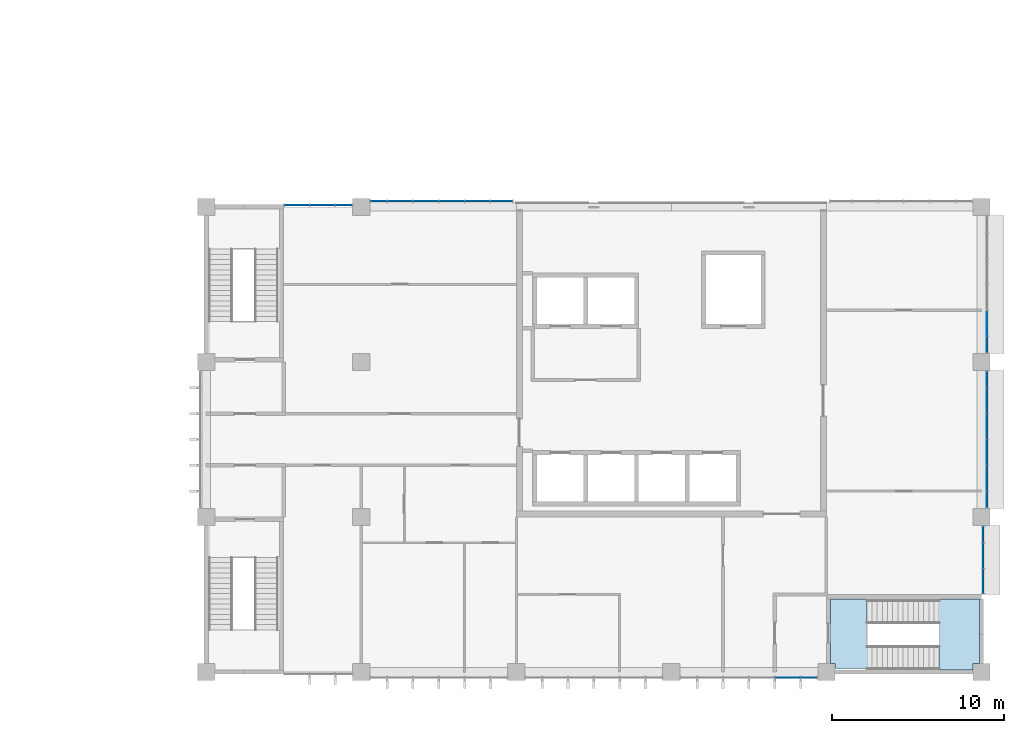
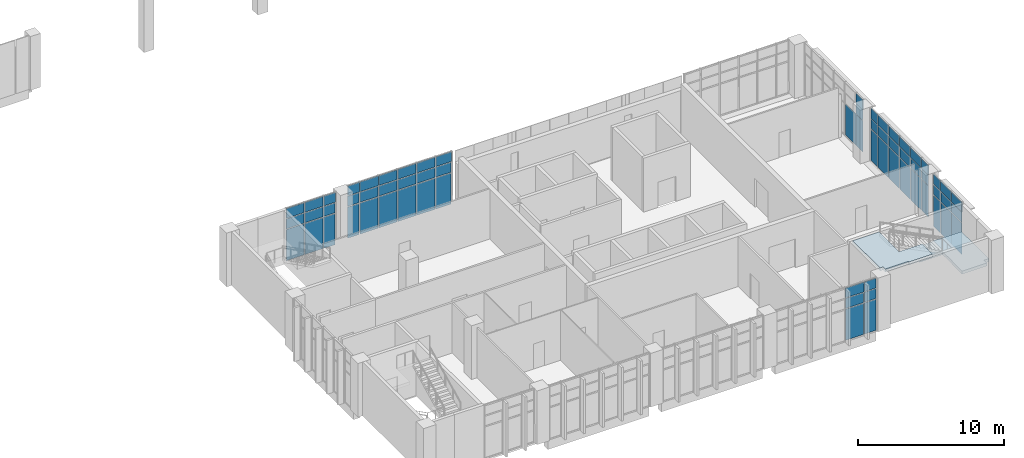
# One storey, part 52 of 88: 64 plates, 2 slabs, 7 elements without a shape of their own.
"""IFC4 building model written with IfcOpenShell, lengths in metres."""

from ifc_helpers import new_model, si_unit, direction, frame, origin, origin_2d, place, context, subcontext, project, spatial, polyline, rectangle, outline, extrude, material, layer, layer_set, type_object, element, aggregate, save


model = new_model("IFC4")

# Units and contexts
model_context = context("Model", 3, precision=1e-05, world=origin(), true_north=direction((0.0, 1.0)))
body_context = subcontext(model_context, "Body", "Model", "MODEL_VIEW")
ifc_project = project(units=[si_unit("LENGTHUNIT", "METRE"), si_unit("AREAUNIT", "SQUARE_METRE"), si_unit("VOLUMEUNIT", "CUBIC_METRE"), si_unit("PLANEANGLEUNIT", "RADIAN"), si_unit("MASSUNIT", "GRAM", prefix="KILO")], contexts=[model_context])

# Site, building, storey
site_placement = place(None, origin())
site = spatial("IfcSite", under=ifc_project, at=site_placement, CompositionType="ELEMENT")
building_placement = place(site_placement, origin())
building = spatial("IfcBuilding", under=site, at=building_placement, Name="Guidao Yard Department Store", CompositionType="ELEMENT")
storey_placement = place(building_placement, frame((0.0, 0.0, 6.0)))
storey = spatial("IfcBuildingStorey", under=building, at=storey_placement, Name="L01", CompositionType="ELEMENT", Elevation=6.0)

# Curtain wall, plates
ifc_material_1 = material(Name="Aluminium and glass", Category="aluminium")
ifc_layer_1 = layer(ifc_material_1, 0.159912109375)
ifc_layer_set_1 = layer_set([ifc_layer_1], Name="Unitised curtain wall CW4 1500 module")
curtain_wall_type = type_object("IfcCurtainWallType", Name="Unitised curtain wall CW4 1500 module", PredefinedType="NOTDEFINED", material=ifc_layer_set_1)
curtain_wall_1_placement = place(storey_placement, origin())
curtain_wall_1 = element("IfcCurtainWall", 1, at=curtain_wall_1_placement, inside=storey, type_object=curtain_wall_type, Name="Unitised curtain wall", PredefinedType="NOTDEFINED")
ifc_material_2 = material(Name="Aluminium 6063-T5 faced insulated spandrel", Category="aluminium")
ifc_layer_2 = layer(ifc_material_2, 0.06005859375)
ifc_layer_set_2 = layer_set([ifc_layer_2], Name="Spandrel panel SP1 insulated opaque")
plate_type_1 = type_object("IfcPlateType", Name="Spandrel panel SP1 insulated opaque", PredefinedType="CURTAIN_PANEL", material=ifc_layer_set_2)
plate_1_placement = place(storey_placement, frame((159.75, -0.330078125, 3.6298828125), z_axis=(0.0, 0.0, 1.0), x_axis=(-1.0, 0.0, 0.0)))
plate_1 = element("IfcPlate", 2, at=plate_1_placement, type_object=plate_type_1, Name="CW-OW-L01-04 panel 5.3", PredefinedType="CURTAIN_PANEL", context=body_context, shape_type="SweptSolid", body=[
    extrude(rectangle(XDim=1.43994140625, YDim=0.06005859375, at=origin_2d()), origin(), (0.0, 0.0, 1.0), 0.81005859375),
])
plate_2_placement = place(storey_placement, frame((160.985107421875, -0.330078125, 3.6298828125), z_axis=(0.0, 0.0, 1.0), x_axis=(-1.0, 0.0, 0.0)))
plate_2 = element("IfcPlate", 3, at=plate_2_placement, type_object=plate_type_1, Name="CW-OW-L01-04 panel 6.3", PredefinedType="CURTAIN_PANEL", context=body_context, shape_type="SweptSolid", body=[
    extrude(rectangle(XDim=0.909912109375, YDim=0.06005859375, at=origin_2d()), origin(), (0.0, 0.0, 1.0), 0.81005859375),
])

curtain_wall_2_placement = place(storey_placement, origin())
curtain_wall_2 = element("IfcCurtainWall", 4, at=curtain_wall_2_placement, inside=storey, type_object=curtain_wall_type, Name="Unitised curtain wall", PredefinedType="NOTDEFINED")
plate_3_placement = place(storey_placement, frame((131.264892578125, 27.10009765625, 3.6298828125), z_axis=(0.0, 0.0, 1.0), x_axis=(1.0, 0.0, 0.0)))
plate_3 = element("IfcPlate", 5, at=plate_3_placement, type_object=plate_type_1, Name="CW-OW-L01-06 panel 1.3", PredefinedType="CURTAIN_PANEL", context=body_context, shape_type="SweptSolid", body=[
    extrude(rectangle(XDim=1.409912109375, YDim=0.06005859375, at=origin_2d()), origin(), (0.0, 0.0, 1.0), 0.81005859375),
])
plate_4_placement = place(storey_placement, frame((132.75, 27.10009765625, 3.6298828125), z_axis=(0.0, 0.0, 1.0), x_axis=(1.0, 0.0, 0.0)))
plate_4 = element("IfcPlate", 6, at=plate_4_placement, type_object=plate_type_1, Name="CW-OW-L01-06 panel 2.3", PredefinedType="CURTAIN_PANEL", context=body_context, shape_type="SweptSolid", body=[
    extrude(rectangle(XDim=1.43994140625, YDim=0.06005859375, at=origin_2d()), origin(), (0.0, 0.0, 1.0), 0.81005859375),
])
plate_5_placement = place(storey_placement, frame((133.985107421875, 27.10009765625, 3.6298828125), z_axis=(0.0, 0.0, 1.0), x_axis=(1.0, 0.0, 0.0)))
plate_5 = element("IfcPlate", 7, at=plate_5_placement, type_object=plate_type_1, Name="CW-OW-L01-06 panel 3.3", PredefinedType="CURTAIN_PANEL", context=body_context, shape_type="SweptSolid", body=[
    extrude(rectangle(XDim=0.909912109375, YDim=0.06005859375, at=origin_2d()), origin(), (0.0, 0.0, 1.0), 0.81005859375),
])

curtain_wall_3_placement = place(storey_placement, origin())
curtain_wall_3 = element("IfcCurtainWall", 8, at=curtain_wall_3_placement, inside=storey, type_object=curtain_wall_type, Name="Unitised curtain wall", PredefinedType="NOTDEFINED")
plate_6_placement = place(storey_placement, frame((136.014892578125, 27.330078125, 3.6298828125), z_axis=(0.0, 0.0, 1.0), x_axis=(1.0, 0.0, 0.0)))
plate_6 = element("IfcPlate", 9, at=plate_6_placement, type_object=plate_type_1, Name="CW-OW-L01-07 panel 1.3", PredefinedType="CURTAIN_PANEL", context=body_context, shape_type="SweptSolid", body=[
    extrude(rectangle(XDim=0.909912109375, YDim=0.06005859375, at=origin_2d()), origin(), (0.0, 0.0, 1.0), 0.81005859375),
])
plate_7_placement = place(storey_placement, frame((137.25, 27.330078125, 3.6298828125), z_axis=(0.0, 0.0, 1.0), x_axis=(1.0, 0.0, 0.0)))
plate_7 = element("IfcPlate", 10, at=plate_7_placement, type_object=plate_type_1, Name="CW-OW-L01-07 panel 2.3", PredefinedType="CURTAIN_PANEL", context=body_context, shape_type="SweptSolid", body=[
    extrude(rectangle(XDim=1.43994140625, YDim=0.06005859375, at=origin_2d()), origin(), (0.0, 0.0, 1.0), 0.81005859375),
])
plate_8_placement = place(storey_placement, frame((138.75, 27.330078125, 3.6298828125), z_axis=(0.0, 0.0, 1.0), x_axis=(1.0, 0.0, 0.0)))
plate_8 = element("IfcPlate", 11, at=plate_8_placement, type_object=plate_type_1, Name="CW-OW-L01-07 panel 3.3", PredefinedType="CURTAIN_PANEL", context=body_context, shape_type="SweptSolid", body=[
    extrude(rectangle(XDim=1.43994140625, YDim=0.06005859375, at=origin_2d()), origin(), (0.0, 0.0, 1.0), 0.81005859375),
])
plate_9_placement = place(storey_placement, frame((140.25, 27.330078125, 3.6298828125), z_axis=(0.0, 0.0, 1.0), x_axis=(1.0, 0.0, 0.0)))
plate_9 = element("IfcPlate", 12, at=plate_9_placement, type_object=plate_type_1, Name="CW-OW-L01-07 panel 4.3", PredefinedType="CURTAIN_PANEL", context=body_context, shape_type="SweptSolid", body=[
    extrude(rectangle(XDim=1.43994140625, YDim=0.06005859375, at=origin_2d()), origin(), (0.0, 0.0, 1.0), 0.81005859375),
])
plate_10_placement = place(storey_placement, frame((141.75, 27.330078125, 3.6298828125), z_axis=(0.0, 0.0, 1.0), x_axis=(1.0, 0.0, 0.0)))
plate_10 = element("IfcPlate", 13, at=plate_10_placement, type_object=plate_type_1, Name="CW-OW-L01-07 panel 5.3", PredefinedType="CURTAIN_PANEL", context=body_context, shape_type="SweptSolid", body=[
    extrude(rectangle(XDim=1.43994140625, YDim=0.06005859375, at=origin_2d()), origin(), (0.0, 0.0, 1.0), 0.81005859375),
])
plate_11_placement = place(storey_placement, frame((143.1474609375, 27.330078125, 3.6298828125), z_axis=(0.0, 0.0, 1.0), x_axis=(1.0, 0.0, 0.0)))
plate_11 = element("IfcPlate", 14, at=plate_11_placement, type_object=plate_type_1, Name="CW-OW-L01-07 panel 6.3", PredefinedType="CURTAIN_PANEL", context=body_context, shape_type="SweptSolid", body=[
    extrude(rectangle(XDim=1.235107421875, YDim=0.06005859375, at=origin_2d()), origin(), (0.0, 0.0, 1.0), 0.81005859375),
])

curtain_wall_4_placement = place(storey_placement, origin())
curtain_wall_4 = element("IfcCurtainWall", 15, at=curtain_wall_4_placement, inside=storey, type_object=curtain_wall_type, Name="Unitised curtain wall", PredefinedType="NOTDEFINED")
plate_12_placement = place(storey_placement, frame((171.10009765625, 5.264892578125, 3.6298828125), z_axis=(0.0, 0.0, 1.0), x_axis=(0.0, -1.0, 0.0)))
plate_12 = element("IfcPlate", 16, at=plate_12_placement, type_object=plate_type_1, Name="CW-OW-L01-09 panel 1.3", PredefinedType="CURTAIN_PANEL", context=body_context, shape_type="SweptSolid", body=[
    extrude(rectangle(XDim=1.409912109375, YDim=0.06005859375, at=origin_2d()), origin(), (0.0, 0.0, 1.0), 0.81005859375),
])
plate_13_placement = place(storey_placement, frame((171.10009765625, 6.75, 3.6298828125), z_axis=(0.0, 0.0, 1.0), x_axis=(0.0, -1.0, 0.0)))
plate_13 = element("IfcPlate", 17, at=plate_13_placement, type_object=plate_type_1, Name="CW-OW-L01-09 panel 2.3", PredefinedType="CURTAIN_PANEL", context=body_context, shape_type="SweptSolid", body=[
    extrude(rectangle(XDim=1.43994140625, YDim=0.06005859375, at=origin_2d()), origin(), (0.0, 0.0, 1.0), 0.81005859375),
])
plate_14_placement = place(storey_placement, frame((171.10009765625, 7.985107421875, 3.6298828125), z_axis=(0.0, 0.0, 1.0), x_axis=(0.0, -1.0, 0.0)))
plate_14 = element("IfcPlate", 18, at=plate_14_placement, type_object=plate_type_1, Name="CW-OW-L01-09 panel 3.3", PredefinedType="CURTAIN_PANEL", context=body_context, shape_type="SweptSolid", body=[
    extrude(rectangle(XDim=0.909912109375, YDim=0.06005859375, at=origin_2d()), origin(), (0.0, 0.0, 1.0), 0.81005859375),
])

curtain_wall_5_placement = place(storey_placement, origin())
curtain_wall_5 = element("IfcCurtainWall", 19, at=curtain_wall_5_placement, inside=storey, type_object=curtain_wall_type, Name="Unitised curtain wall", PredefinedType="NOTDEFINED")
plate_15_placement = place(storey_placement, frame((171.330078125, 10.014892578125, 3.6298828125), z_axis=(0.0, 0.0, 1.0), x_axis=(0.0, -1.0, 0.0)))
plate_15 = element("IfcPlate", 20, at=plate_15_placement, type_object=plate_type_1, Name="CW-OW-L01-10 panel 1.3", PredefinedType="CURTAIN_PANEL", context=body_context, shape_type="SweptSolid", body=[
    extrude(rectangle(XDim=0.909912109375, YDim=0.06005859375, at=origin_2d()), origin(), (0.0, 0.0, 1.0), 0.81005859375),
])
plate_16_placement = place(storey_placement, frame((171.330078125, 11.25, 3.6298828125), z_axis=(0.0, 0.0, 1.0), x_axis=(0.0, -1.0, 0.0)))
plate_16 = element("IfcPlate", 21, at=plate_16_placement, type_object=plate_type_1, Name="CW-OW-L01-10 panel 2.3", PredefinedType="CURTAIN_PANEL", context=body_context, shape_type="SweptSolid", body=[
    extrude(rectangle(XDim=1.43994140625, YDim=0.06005859375, at=origin_2d()), origin(), (0.0, 0.0, 1.0), 0.81005859375),
])
plate_17_placement = place(storey_placement, frame((171.330078125, 12.75, 3.6298828125), z_axis=(0.0, 0.0, 1.0), x_axis=(0.0, -1.0, 0.0)))
plate_17 = element("IfcPlate", 22, at=plate_17_placement, type_object=plate_type_1, Name="CW-OW-L01-10 panel 3.3", PredefinedType="CURTAIN_PANEL", context=body_context, shape_type="SweptSolid", body=[
    extrude(rectangle(XDim=1.43994140625, YDim=0.06005859375, at=origin_2d()), origin(), (0.0, 0.0, 1.0), 0.81005859375),
])
plate_18_placement = place(storey_placement, frame((171.330078125, 14.25, 3.6298828125), z_axis=(0.0, 0.0, 1.0), x_axis=(0.0, -1.0, 0.0)))
plate_18 = element("IfcPlate", 23, at=plate_18_placement, type_object=plate_type_1, Name="CW-OW-L01-10 panel 4.3", PredefinedType="CURTAIN_PANEL", context=body_context, shape_type="SweptSolid", body=[
    extrude(rectangle(XDim=1.43994140625, YDim=0.06005859375, at=origin_2d()), origin(), (0.0, 0.0, 1.0), 0.81005859375),
])
plate_19_placement = place(storey_placement, frame((171.330078125, 15.75, 3.6298828125), z_axis=(0.0, 0.0, 1.0), x_axis=(0.0, -1.0, 0.0)))
plate_19 = element("IfcPlate", 24, at=plate_19_placement, type_object=plate_type_1, Name="CW-OW-L01-10 panel 5.3", PredefinedType="CURTAIN_PANEL", context=body_context, shape_type="SweptSolid", body=[
    extrude(rectangle(XDim=1.43994140625, YDim=0.06005859375, at=origin_2d()), origin(), (0.0, 0.0, 1.0), 0.81005859375),
])
plate_20_placement = place(storey_placement, frame((171.330078125, 16.985107421875, 3.6298828125), z_axis=(0.0, 0.0, 1.0), x_axis=(0.0, -1.0, 0.0)))
plate_20 = element("IfcPlate", 25, at=plate_20_placement, type_object=plate_type_1, Name="CW-OW-L01-10 panel 6.3", PredefinedType="CURTAIN_PANEL", context=body_context, shape_type="SweptSolid", body=[
    extrude(rectangle(XDim=0.909912109375, YDim=0.06005859375, at=origin_2d()), origin(), (0.0, 0.0, 1.0), 0.81005859375),
])

# Curtain wall, plate
curtain_wall_6_placement = place(storey_placement, origin())
curtain_wall_6 = element("IfcCurtainWall", 26, at=curtain_wall_6_placement, inside=storey, type_object=curtain_wall_type, Name="Unitised curtain wall", PredefinedType="NOTDEFINED")
plate_21_placement = place(storey_placement, frame((171.330078125, 19.014892578125, 3.6298828125), z_axis=(0.0, 0.0, 1.0), x_axis=(0.0, -1.0, 0.0)))
plate_21 = element("IfcPlate", 27, at=plate_21_placement, type_object=plate_type_1, Name="CW-OW-L01-11 panel 1.3", PredefinedType="CURTAIN_PANEL", context=body_context, shape_type="SweptSolid", body=[
    extrude(rectangle(XDim=0.909912109375, YDim=0.06005859375, at=origin_2d()), origin(), (0.0, 0.0, 1.0), 0.81005859375),
])

# Stair, slabs
ifc_material_3 = material(Name="Concrete C35", Category="concrete")
stair_type = type_object("IfcStairType", Name="Stair half-turn two-flight 1400 wide 4.5 m rise", PredefinedType="HALF_TURN_STAIR", material=ifc_material_3)
stair_placement = place(storey_placement, origin())
stair = element("IfcStair", 28, at=stair_placement, inside=storey, type_object=stair_type, Name="Stair O2 L01 to L02", PredefinedType="HALF_TURN_STAIR")
ifc_material_4 = material(Name="Concrete C35", Category="concrete")
ifc_layer_3 = layer(ifc_material_4, 0.25)
ifc_layer_set_3 = layer_set([ifc_layer_3], Name="Stair landing RC 250 C35")
slab_type = type_object("IfcSlabType", Name="Stair landing RC 250 C35", PredefinedType="LANDING", material=ifc_layer_set_3)
slab_1_placement = place(storey_placement, frame((0.0, 0.0, 2.0)))
slab_1 = element("IfcSlab", 29, at=slab_1_placement, type_object=slab_type, Name="SO2-L01 landing 1", PredefinedType="LANDING", context=body_context, shape_type="SweptSolid", body=[
    extrude(outline(polyline([(168.550048828125, 1.52490234375), (168.550048828125, 2.800048828125), (166.719970703125, 2.800048828125), (166.719970703125, 4.199951171875), (168.550048828125, 4.199951171875), (168.550048828125, 4.25), (170.875, 4.25), (170.875, 0.5), (170.5, 0.5), (170.5, 0.125), (168.550048828125, 0.125), (168.5400390625, 0.125), (168.5400390625, 1.52490234375), (168.550048828125, 1.52490234375)])), origin(), (0.0, 0.0, 1.0), 0.25),
])
slab_2_placement = place(storey_placement, frame((0.0, 0.0, 4.25)))
slab_2 = element("IfcSlab", 30, at=slab_2_placement, type_object=slab_type, Name="SO2-L01 landing 2", PredefinedType="LANDING", context=body_context, shape_type="SweptSolid", body=[
    extrude(outline(polyline([(164.35009765625, 0.125), (164.35009765625, 0.199951171875), (162.5, 0.199951171875), (162.5, 0.5), (162.25, 0.5), (162.25, 2.800048828125), (162.25, 4.25), (164.360107421875, 4.25), (164.360107421875, 2.800048828125), (164.35009765625, 2.800048828125), (164.35009765625, 1.52490234375), (166.179931640625, 1.52490234375), (166.179931640625, 0.125), (164.35009765625, 0.125)])), origin(), (0.0, 0.0, 1.0), 0.25),
])
aggregate(stair, [slab_1, slab_2])

# Plate
ifc_material_5 = material(Name="Laminated heat-soaked tempered glass", Category="glass")
ifc_layer_4 = layer(ifc_material_5, 0.017578125)
ifc_layer_set_4 = layer_set([ifc_layer_4], Name="Vision glass VG1 laminated heat-soaked tempered 8+8")
plate_type_2 = type_object("IfcPlateType", Name="Vision glass VG1 laminated heat-soaked tempered 8+8", PredefinedType="CURTAIN_PANEL", material=ifc_layer_set_4)
plate_22_placement = place(storey_placement, frame((159.75, -0.330078125, 0.06005859375), z_axis=(0.0, 0.0, 1.0), x_axis=(-1.0, 0.0, 0.0)))
plate_22 = element("IfcPlate", 31, at=plate_22_placement, type_object=plate_type_2, Name="CW-OW-L01-04 panel 5.1", PredefinedType="CURTAIN_PANEL", context=body_context, shape_type="SweptSolid", body=[
    extrude(rectangle(XDim=1.43994140625, YDim=0.017578125, at=origin_2d()), origin(), (0.0, 0.0, 1.0), 2.610107421875),
])

plate_23_placement = place(storey_placement, frame((159.75, -0.330078125, 2.72998046875), z_axis=(0.0, 0.0, 1.0), x_axis=(-1.0, 0.0, 0.0)))
plate_23 = element("IfcPlate", 32, at=plate_23_placement, type_object=plate_type_2, Name="CW-OW-L01-04 panel 5.2", PredefinedType="CURTAIN_PANEL", context=body_context, shape_type="SweptSolid", body=[
    extrude(rectangle(XDim=1.43994140625, YDim=0.017578125, at=origin_2d()), origin(), (0.0, 0.0, 1.0), 0.840087890625),
])

plate_24_placement = place(storey_placement, frame((160.985107421875, -0.330078125, 0.06005859375), z_axis=(0.0, 0.0, 1.0), x_axis=(-1.0, 0.0, 0.0)))
plate_24 = element("IfcPlate", 33, at=plate_24_placement, type_object=plate_type_2, Name="CW-OW-L01-04 panel 6.1", PredefinedType="CURTAIN_PANEL", context=body_context, shape_type="SweptSolid", body=[
    extrude(rectangle(XDim=0.909912109375, YDim=0.017578125, at=origin_2d()), origin(), (0.0, 0.0, 1.0), 2.610107421875),
])

plate_25_placement = place(storey_placement, frame((160.985107421875, -0.330078125, 2.72998046875), z_axis=(0.0, 0.0, 1.0), x_axis=(-1.0, 0.0, 0.0)))
plate_25 = element("IfcPlate", 34, at=plate_25_placement, type_object=plate_type_2, Name="CW-OW-L01-04 panel 6.2", PredefinedType="CURTAIN_PANEL", context=body_context, shape_type="SweptSolid", body=[
    extrude(rectangle(XDim=0.909912109375, YDim=0.017578125, at=origin_2d()), origin(), (0.0, 0.0, 1.0), 0.840087890625),
])

aggregate(curtain_wall_1, [plate_22, plate_23, plate_1, plate_24, plate_25, plate_2])

plate_26_placement = place(storey_placement, frame((131.264892578125, 27.10009765625, 0.06005859375), z_axis=(0.0, 0.0, 1.0), x_axis=(1.0, 0.0, 0.0)))
plate_26 = element("IfcPlate", 35, at=plate_26_placement, type_object=plate_type_2, Name="CW-OW-L01-06 panel 1.1", PredefinedType="CURTAIN_PANEL", context=body_context, shape_type="SweptSolid", body=[
    extrude(rectangle(XDim=1.409912109375, YDim=0.017578125, at=origin_2d()), origin(), (0.0, 0.0, 1.0), 2.610107421875),
])

plate_27_placement = place(storey_placement, frame((131.264892578125, 27.10009765625, 2.72998046875), z_axis=(0.0, 0.0, 1.0), x_axis=(1.0, 0.0, 0.0)))
plate_27 = element("IfcPlate", 36, at=plate_27_placement, type_object=plate_type_2, Name="CW-OW-L01-06 panel 1.2", PredefinedType="CURTAIN_PANEL", context=body_context, shape_type="SweptSolid", body=[
    extrude(rectangle(XDim=1.409912109375, YDim=0.017578125, at=origin_2d()), origin(), (0.0, 0.0, 1.0), 0.840087890625),
])

plate_28_placement = place(storey_placement, frame((132.75, 27.10009765625, 0.06005859375), z_axis=(0.0, 0.0, 1.0), x_axis=(1.0, 0.0, 0.0)))
plate_28 = element("IfcPlate", 37, at=plate_28_placement, type_object=plate_type_2, Name="CW-OW-L01-06 panel 2.1", PredefinedType="CURTAIN_PANEL", context=body_context, shape_type="SweptSolid", body=[
    extrude(rectangle(XDim=1.43994140625, YDim=0.017578125, at=origin_2d()), origin(), (0.0, 0.0, 1.0), 2.610107421875),
])

plate_29_placement = place(storey_placement, frame((132.75, 27.10009765625, 2.72998046875), z_axis=(0.0, 0.0, 1.0), x_axis=(1.0, 0.0, 0.0)))
plate_29 = element("IfcPlate", 38, at=plate_29_placement, type_object=plate_type_2, Name="CW-OW-L01-06 panel 2.2", PredefinedType="CURTAIN_PANEL", context=body_context, shape_type="SweptSolid", body=[
    extrude(rectangle(XDim=1.43994140625, YDim=0.017578125, at=origin_2d()), origin(), (0.0, 0.0, 1.0), 0.840087890625),
])

plate_30_placement = place(storey_placement, frame((133.985107421875, 27.10009765625, 0.06005859375), z_axis=(0.0, 0.0, 1.0), x_axis=(1.0, 0.0, 0.0)))
plate_30 = element("IfcPlate", 39, at=plate_30_placement, type_object=plate_type_2, Name="CW-OW-L01-06 panel 3.1", PredefinedType="CURTAIN_PANEL", context=body_context, shape_type="SweptSolid", body=[
    extrude(rectangle(XDim=0.909912109375, YDim=0.017578125, at=origin_2d()), origin(), (0.0, 0.0, 1.0), 2.610107421875),
])

plate_31_placement = place(storey_placement, frame((133.985107421875, 27.10009765625, 2.72998046875), z_axis=(0.0, 0.0, 1.0), x_axis=(1.0, 0.0, 0.0)))
plate_31 = element("IfcPlate", 40, at=plate_31_placement, type_object=plate_type_2, Name="CW-OW-L01-06 panel 3.2", PredefinedType="CURTAIN_PANEL", context=body_context, shape_type="SweptSolid", body=[
    extrude(rectangle(XDim=0.909912109375, YDim=0.017578125, at=origin_2d()), origin(), (0.0, 0.0, 1.0), 0.840087890625),
])

aggregate(curtain_wall_2, [plate_26, plate_27, plate_3, plate_28, plate_29, plate_4, plate_30, plate_31, plate_5])

plate_32_placement = place(storey_placement, frame((136.014892578125, 27.330078125, 0.06005859375), z_axis=(0.0, 0.0, 1.0), x_axis=(1.0, 0.0, 0.0)))
plate_32 = element("IfcPlate", 41, at=plate_32_placement, type_object=plate_type_2, Name="CW-OW-L01-07 panel 1.1", PredefinedType="CURTAIN_PANEL", context=body_context, shape_type="SweptSolid", body=[
    extrude(rectangle(XDim=0.909912109375, YDim=0.017578125, at=origin_2d()), origin(), (0.0, 0.0, 1.0), 2.610107421875),
])

plate_33_placement = place(storey_placement, frame((136.014892578125, 27.330078125, 2.72998046875), z_axis=(0.0, 0.0, 1.0), x_axis=(1.0, 0.0, 0.0)))
plate_33 = element("IfcPlate", 42, at=plate_33_placement, type_object=plate_type_2, Name="CW-OW-L01-07 panel 1.2", PredefinedType="CURTAIN_PANEL", context=body_context, shape_type="SweptSolid", body=[
    extrude(rectangle(XDim=0.909912109375, YDim=0.017578125, at=origin_2d()), origin(), (0.0, 0.0, 1.0), 0.840087890625),
])

plate_34_placement = place(storey_placement, frame((137.25, 27.330078125, 0.06005859375), z_axis=(0.0, 0.0, 1.0), x_axis=(1.0, 0.0, 0.0)))
plate_34 = element("IfcPlate", 43, at=plate_34_placement, type_object=plate_type_2, Name="CW-OW-L01-07 panel 2.1", PredefinedType="CURTAIN_PANEL", context=body_context, shape_type="SweptSolid", body=[
    extrude(rectangle(XDim=1.43994140625, YDim=0.017578125, at=origin_2d()), origin(), (0.0, 0.0, 1.0), 2.610107421875),
])

plate_35_placement = place(storey_placement, frame((137.25, 27.330078125, 2.72998046875), z_axis=(0.0, 0.0, 1.0), x_axis=(1.0, 0.0, 0.0)))
plate_35 = element("IfcPlate", 44, at=plate_35_placement, type_object=plate_type_2, Name="CW-OW-L01-07 panel 2.2", PredefinedType="CURTAIN_PANEL", context=body_context, shape_type="SweptSolid", body=[
    extrude(rectangle(XDim=1.43994140625, YDim=0.017578125, at=origin_2d()), origin(), (0.0, 0.0, 1.0), 0.840087890625),
])

plate_36_placement = place(storey_placement, frame((138.75, 27.330078125, 0.06005859375), z_axis=(0.0, 0.0, 1.0), x_axis=(1.0, 0.0, 0.0)))
plate_36 = element("IfcPlate", 45, at=plate_36_placement, type_object=plate_type_2, Name="CW-OW-L01-07 panel 3.1", PredefinedType="CURTAIN_PANEL", context=body_context, shape_type="SweptSolid", body=[
    extrude(rectangle(XDim=1.43994140625, YDim=0.017578125, at=origin_2d()), origin(), (0.0, 0.0, 1.0), 2.610107421875),
])

plate_37_placement = place(storey_placement, frame((138.75, 27.330078125, 2.72998046875), z_axis=(0.0, 0.0, 1.0), x_axis=(1.0, 0.0, 0.0)))
plate_37 = element("IfcPlate", 46, at=plate_37_placement, type_object=plate_type_2, Name="CW-OW-L01-07 panel 3.2", PredefinedType="CURTAIN_PANEL", context=body_context, shape_type="SweptSolid", body=[
    extrude(rectangle(XDim=1.43994140625, YDim=0.017578125, at=origin_2d()), origin(), (0.0, 0.0, 1.0), 0.840087890625),
])

plate_38_placement = place(storey_placement, frame((140.25, 27.330078125, 0.06005859375), z_axis=(0.0, 0.0, 1.0), x_axis=(1.0, 0.0, 0.0)))
plate_38 = element("IfcPlate", 47, at=plate_38_placement, type_object=plate_type_2, Name="CW-OW-L01-07 panel 4.1", PredefinedType="CURTAIN_PANEL", context=body_context, shape_type="SweptSolid", body=[
    extrude(rectangle(XDim=1.43994140625, YDim=0.017578125, at=origin_2d()), origin(), (0.0, 0.0, 1.0), 2.610107421875),
])

plate_39_placement = place(storey_placement, frame((140.25, 27.330078125, 2.72998046875), z_axis=(0.0, 0.0, 1.0), x_axis=(1.0, 0.0, 0.0)))
plate_39 = element("IfcPlate", 48, at=plate_39_placement, type_object=plate_type_2, Name="CW-OW-L01-07 panel 4.2", PredefinedType="CURTAIN_PANEL", context=body_context, shape_type="SweptSolid", body=[
    extrude(rectangle(XDim=1.43994140625, YDim=0.017578125, at=origin_2d()), origin(), (0.0, 0.0, 1.0), 0.840087890625),
])

plate_40_placement = place(storey_placement, frame((141.75, 27.330078125, 0.06005859375), z_axis=(0.0, 0.0, 1.0), x_axis=(1.0, 0.0, 0.0)))
plate_40 = element("IfcPlate", 49, at=plate_40_placement, type_object=plate_type_2, Name="CW-OW-L01-07 panel 5.1", PredefinedType="CURTAIN_PANEL", context=body_context, shape_type="SweptSolid", body=[
    extrude(rectangle(XDim=1.43994140625, YDim=0.017578125, at=origin_2d()), origin(), (0.0, 0.0, 1.0), 2.610107421875),
])

plate_41_placement = place(storey_placement, frame((141.75, 27.330078125, 2.72998046875), z_axis=(0.0, 0.0, 1.0), x_axis=(1.0, 0.0, 0.0)))
plate_41 = element("IfcPlate", 50, at=plate_41_placement, type_object=plate_type_2, Name="CW-OW-L01-07 panel 5.2", PredefinedType="CURTAIN_PANEL", context=body_context, shape_type="SweptSolid", body=[
    extrude(rectangle(XDim=1.43994140625, YDim=0.017578125, at=origin_2d()), origin(), (0.0, 0.0, 1.0), 0.840087890625),
])

plate_42_placement = place(storey_placement, frame((143.1474609375, 27.330078125, 0.06005859375), z_axis=(0.0, 0.0, 1.0), x_axis=(1.0, 0.0, 0.0)))
plate_42 = element("IfcPlate", 51, at=plate_42_placement, type_object=plate_type_2, Name="CW-OW-L01-07 panel 6.1", PredefinedType="CURTAIN_PANEL", context=body_context, shape_type="SweptSolid", body=[
    extrude(rectangle(XDim=1.235107421875, YDim=0.017578125, at=origin_2d()), origin(), (0.0, 0.0, 1.0), 2.610107421875),
])

plate_43_placement = place(storey_placement, frame((143.1474609375, 27.330078125, 2.72998046875), z_axis=(0.0, 0.0, 1.0), x_axis=(1.0, 0.0, 0.0)))
plate_43 = element("IfcPlate", 52, at=plate_43_placement, type_object=plate_type_2, Name="CW-OW-L01-07 panel 6.2", PredefinedType="CURTAIN_PANEL", context=body_context, shape_type="SweptSolid", body=[
    extrude(rectangle(XDim=1.235107421875, YDim=0.017578125, at=origin_2d()), origin(), (0.0, 0.0, 1.0), 0.840087890625),
])

aggregate(curtain_wall_3, [plate_32, plate_33, plate_6, plate_34, plate_35, plate_7, plate_36, plate_37, plate_8, plate_38, plate_39, plate_9, plate_40, plate_41, plate_10, plate_42, plate_43, plate_11])

plate_44_placement = place(storey_placement, frame((171.10009765625, 5.264892578125, 0.06005859375), z_axis=(0.0, 0.0, 1.0), x_axis=(0.0, -1.0, 0.0)))
plate_44 = element("IfcPlate", 53, at=plate_44_placement, type_object=plate_type_2, Name="CW-OW-L01-09 panel 1.1", PredefinedType="CURTAIN_PANEL", context=body_context, shape_type="SweptSolid", body=[
    extrude(rectangle(XDim=1.409912109375, YDim=0.017578125, at=origin_2d()), origin(), (0.0, 0.0, 1.0), 2.610107421875),
])

plate_45_placement = place(storey_placement, frame((171.10009765625, 5.264892578125, 2.72998046875), z_axis=(0.0, 0.0, 1.0), x_axis=(0.0, -1.0, 0.0)))
plate_45 = element("IfcPlate", 54, at=plate_45_placement, type_object=plate_type_2, Name="CW-OW-L01-09 panel 1.2", PredefinedType="CURTAIN_PANEL", context=body_context, shape_type="SweptSolid", body=[
    extrude(rectangle(XDim=1.409912109375, YDim=0.017578125, at=origin_2d()), origin(), (0.0, 0.0, 1.0), 0.840087890625),
])

plate_46_placement = place(storey_placement, frame((171.10009765625, 6.75, 0.06005859375), z_axis=(0.0, 0.0, 1.0), x_axis=(0.0, -1.0, 0.0)))
plate_46 = element("IfcPlate", 55, at=plate_46_placement, type_object=plate_type_2, Name="CW-OW-L01-09 panel 2.1", PredefinedType="CURTAIN_PANEL", context=body_context, shape_type="SweptSolid", body=[
    extrude(rectangle(XDim=1.43994140625, YDim=0.017578125, at=origin_2d()), origin(), (0.0, 0.0, 1.0), 2.610107421875),
])

plate_47_placement = place(storey_placement, frame((171.10009765625, 6.75, 2.72998046875), z_axis=(0.0, 0.0, 1.0), x_axis=(0.0, -1.0, 0.0)))
plate_47 = element("IfcPlate", 56, at=plate_47_placement, type_object=plate_type_2, Name="CW-OW-L01-09 panel 2.2", PredefinedType="CURTAIN_PANEL", context=body_context, shape_type="SweptSolid", body=[
    extrude(rectangle(XDim=1.43994140625, YDim=0.017578125, at=origin_2d()), origin(), (0.0, 0.0, 1.0), 0.840087890625),
])

plate_48_placement = place(storey_placement, frame((171.10009765625, 7.985107421875, 0.06005859375), z_axis=(0.0, 0.0, 1.0), x_axis=(0.0, -1.0, 0.0)))
plate_48 = element("IfcPlate", 57, at=plate_48_placement, type_object=plate_type_2, Name="CW-OW-L01-09 panel 3.1", PredefinedType="CURTAIN_PANEL", context=body_context, shape_type="SweptSolid", body=[
    extrude(rectangle(XDim=0.909912109375, YDim=0.017578125, at=origin_2d()), origin(), (0.0, 0.0, 1.0), 2.610107421875),
])

plate_49_placement = place(storey_placement, frame((171.10009765625, 7.985107421875, 2.72998046875), z_axis=(0.0, 0.0, 1.0), x_axis=(0.0, -1.0, 0.0)))
plate_49 = element("IfcPlate", 58, at=plate_49_placement, type_object=plate_type_2, Name="CW-OW-L01-09 panel 3.2", PredefinedType="CURTAIN_PANEL", context=body_context, shape_type="SweptSolid", body=[
    extrude(rectangle(XDim=0.909912109375, YDim=0.017578125, at=origin_2d()), origin(), (0.0, 0.0, 1.0), 0.840087890625),
])

aggregate(curtain_wall_4, [plate_44, plate_45, plate_12, plate_46, plate_47, plate_13, plate_48, plate_49, plate_14])

plate_50_placement = place(storey_placement, frame((171.330078125, 10.014892578125, 0.06005859375), z_axis=(0.0, 0.0, 1.0), x_axis=(0.0, -1.0, 0.0)))
plate_50 = element("IfcPlate", 59, at=plate_50_placement, type_object=plate_type_2, Name="CW-OW-L01-10 panel 1.1", PredefinedType="CURTAIN_PANEL", context=body_context, shape_type="SweptSolid", body=[
    extrude(rectangle(XDim=0.909912109375, YDim=0.017578125, at=origin_2d()), origin(), (0.0, 0.0, 1.0), 2.610107421875),
])

plate_51_placement = place(storey_placement, frame((171.330078125, 10.014892578125, 2.72998046875), z_axis=(0.0, 0.0, 1.0), x_axis=(0.0, -1.0, 0.0)))
plate_51 = element("IfcPlate", 60, at=plate_51_placement, type_object=plate_type_2, Name="CW-OW-L01-10 panel 1.2", PredefinedType="CURTAIN_PANEL", context=body_context, shape_type="SweptSolid", body=[
    extrude(rectangle(XDim=0.909912109375, YDim=0.017578125, at=origin_2d()), origin(), (0.0, 0.0, 1.0), 0.840087890625),
])

plate_52_placement = place(storey_placement, frame((171.330078125, 11.25, 0.06005859375), z_axis=(0.0, 0.0, 1.0), x_axis=(0.0, -1.0, 0.0)))
plate_52 = element("IfcPlate", 61, at=plate_52_placement, type_object=plate_type_2, Name="CW-OW-L01-10 panel 2.1", PredefinedType="CURTAIN_PANEL", context=body_context, shape_type="SweptSolid", body=[
    extrude(rectangle(XDim=1.43994140625, YDim=0.017578125, at=origin_2d()), origin(), (0.0, 0.0, 1.0), 2.610107421875),
])

plate_53_placement = place(storey_placement, frame((171.330078125, 11.25, 2.72998046875), z_axis=(0.0, 0.0, 1.0), x_axis=(0.0, -1.0, 0.0)))
plate_53 = element("IfcPlate", 62, at=plate_53_placement, type_object=plate_type_2, Name="CW-OW-L01-10 panel 2.2", PredefinedType="CURTAIN_PANEL", context=body_context, shape_type="SweptSolid", body=[
    extrude(rectangle(XDim=1.43994140625, YDim=0.017578125, at=origin_2d()), origin(), (0.0, 0.0, 1.0), 0.840087890625),
])

plate_54_placement = place(storey_placement, frame((171.330078125, 12.75, 0.06005859375), z_axis=(0.0, 0.0, 1.0), x_axis=(0.0, -1.0, 0.0)))
plate_54 = element("IfcPlate", 63, at=plate_54_placement, type_object=plate_type_2, Name="CW-OW-L01-10 panel 3.1", PredefinedType="CURTAIN_PANEL", context=body_context, shape_type="SweptSolid", body=[
    extrude(rectangle(XDim=1.43994140625, YDim=0.017578125, at=origin_2d()), origin(), (0.0, 0.0, 1.0), 2.610107421875),
])

plate_55_placement = place(storey_placement, frame((171.330078125, 12.75, 2.72998046875), z_axis=(0.0, 0.0, 1.0), x_axis=(0.0, -1.0, 0.0)))
plate_55 = element("IfcPlate", 64, at=plate_55_placement, type_object=plate_type_2, Name="CW-OW-L01-10 panel 3.2", PredefinedType="CURTAIN_PANEL", context=body_context, shape_type="SweptSolid", body=[
    extrude(rectangle(XDim=1.43994140625, YDim=0.017578125, at=origin_2d()), origin(), (0.0, 0.0, 1.0), 0.840087890625),
])

plate_56_placement = place(storey_placement, frame((171.330078125, 14.25, 0.06005859375), z_axis=(0.0, 0.0, 1.0), x_axis=(0.0, -1.0, 0.0)))
plate_56 = element("IfcPlate", 65, at=plate_56_placement, type_object=plate_type_2, Name="CW-OW-L01-10 panel 4.1", PredefinedType="CURTAIN_PANEL", context=body_context, shape_type="SweptSolid", body=[
    extrude(rectangle(XDim=1.43994140625, YDim=0.017578125, at=origin_2d()), origin(), (0.0, 0.0, 1.0), 2.610107421875),
])

plate_57_placement = place(storey_placement, frame((171.330078125, 14.25, 2.72998046875), z_axis=(0.0, 0.0, 1.0), x_axis=(0.0, -1.0, 0.0)))
plate_57 = element("IfcPlate", 66, at=plate_57_placement, type_object=plate_type_2, Name="CW-OW-L01-10 panel 4.2", PredefinedType="CURTAIN_PANEL", context=body_context, shape_type="SweptSolid", body=[
    extrude(rectangle(XDim=1.43994140625, YDim=0.017578125, at=origin_2d()), origin(), (0.0, 0.0, 1.0), 0.840087890625),
])

plate_58_placement = place(storey_placement, frame((171.330078125, 15.75, 0.06005859375), z_axis=(0.0, 0.0, 1.0), x_axis=(0.0, -1.0, 0.0)))
plate_58 = element("IfcPlate", 67, at=plate_58_placement, type_object=plate_type_2, Name="CW-OW-L01-10 panel 5.1", PredefinedType="CURTAIN_PANEL", context=body_context, shape_type="SweptSolid", body=[
    extrude(rectangle(XDim=1.43994140625, YDim=0.017578125, at=origin_2d()), origin(), (0.0, 0.0, 1.0), 2.610107421875),
])

plate_59_placement = place(storey_placement, frame((171.330078125, 15.75, 2.72998046875), z_axis=(0.0, 0.0, 1.0), x_axis=(0.0, -1.0, 0.0)))
plate_59 = element("IfcPlate", 68, at=plate_59_placement, type_object=plate_type_2, Name="CW-OW-L01-10 panel 5.2", PredefinedType="CURTAIN_PANEL", context=body_context, shape_type="SweptSolid", body=[
    extrude(rectangle(XDim=1.43994140625, YDim=0.017578125, at=origin_2d()), origin(), (0.0, 0.0, 1.0), 0.840087890625),
])

plate_60_placement = place(storey_placement, frame((171.330078125, 16.985107421875, 0.06005859375), z_axis=(0.0, 0.0, 1.0), x_axis=(0.0, -1.0, 0.0)))
plate_60 = element("IfcPlate", 69, at=plate_60_placement, type_object=plate_type_2, Name="CW-OW-L01-10 panel 6.1", PredefinedType="CURTAIN_PANEL", context=body_context, shape_type="SweptSolid", body=[
    extrude(rectangle(XDim=0.909912109375, YDim=0.017578125, at=origin_2d()), origin(), (0.0, 0.0, 1.0), 2.610107421875),
])

plate_61_placement = place(storey_placement, frame((171.330078125, 16.985107421875, 2.72998046875), z_axis=(0.0, 0.0, 1.0), x_axis=(0.0, -1.0, 0.0)))
plate_61 = element("IfcPlate", 70, at=plate_61_placement, type_object=plate_type_2, Name="CW-OW-L01-10 panel 6.2", PredefinedType="CURTAIN_PANEL", context=body_context, shape_type="SweptSolid", body=[
    extrude(rectangle(XDim=0.909912109375, YDim=0.017578125, at=origin_2d()), origin(), (0.0, 0.0, 1.0), 0.840087890625),
])

aggregate(curtain_wall_5, [plate_50, plate_51, plate_15, plate_52, plate_53, plate_16, plate_54, plate_55, plate_17, plate_56, plate_57, plate_18, plate_58, plate_59, plate_19, plate_60, plate_61, plate_20])

plate_62_placement = place(storey_placement, frame((171.330078125, 19.014892578125, 0.06005859375), z_axis=(0.0, 0.0, 1.0), x_axis=(0.0, -1.0, 0.0)))
plate_62 = element("IfcPlate", 71, at=plate_62_placement, type_object=plate_type_2, Name="CW-OW-L01-11 panel 1.1", PredefinedType="CURTAIN_PANEL", context=body_context, shape_type="SweptSolid", body=[
    extrude(rectangle(XDim=0.909912109375, YDim=0.017578125, at=origin_2d()), origin(), (0.0, 0.0, 1.0), 2.610107421875),
])

plate_63_placement = place(storey_placement, frame((171.330078125, 19.014892578125, 2.72998046875), z_axis=(0.0, 0.0, 1.0), x_axis=(0.0, -1.0, 0.0)))
plate_63 = element("IfcPlate", 72, at=plate_63_placement, type_object=plate_type_2, Name="CW-OW-L01-11 panel 1.2", PredefinedType="CURTAIN_PANEL", context=body_context, shape_type="SweptSolid", body=[
    extrude(rectangle(XDim=0.909912109375, YDim=0.017578125, at=origin_2d()), origin(), (0.0, 0.0, 1.0), 0.840087890625),
])

plate_64_placement = place(storey_placement, frame((171.330078125, 20.25, 0.06005859375), z_axis=(0.0, 0.0, 1.0), x_axis=(0.0, -1.0, 0.0)))
plate_64 = element("IfcPlate", 73, at=plate_64_placement, type_object=plate_type_2, Name="CW-OW-L01-11 panel 2.1", PredefinedType="CURTAIN_PANEL", context=body_context, shape_type="SweptSolid", body=[
    extrude(rectangle(XDim=1.43994140625, YDim=0.017578125, at=origin_2d()), origin(), (0.0, 0.0, 1.0), 2.610107421875),
])

aggregate(curtain_wall_6, [plate_62, plate_63, plate_21, plate_64])

save(model, "model.ifc")
